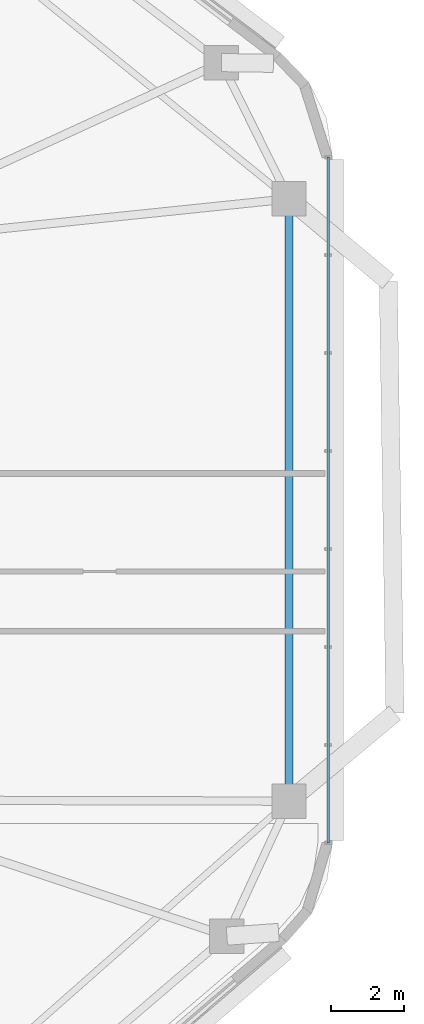
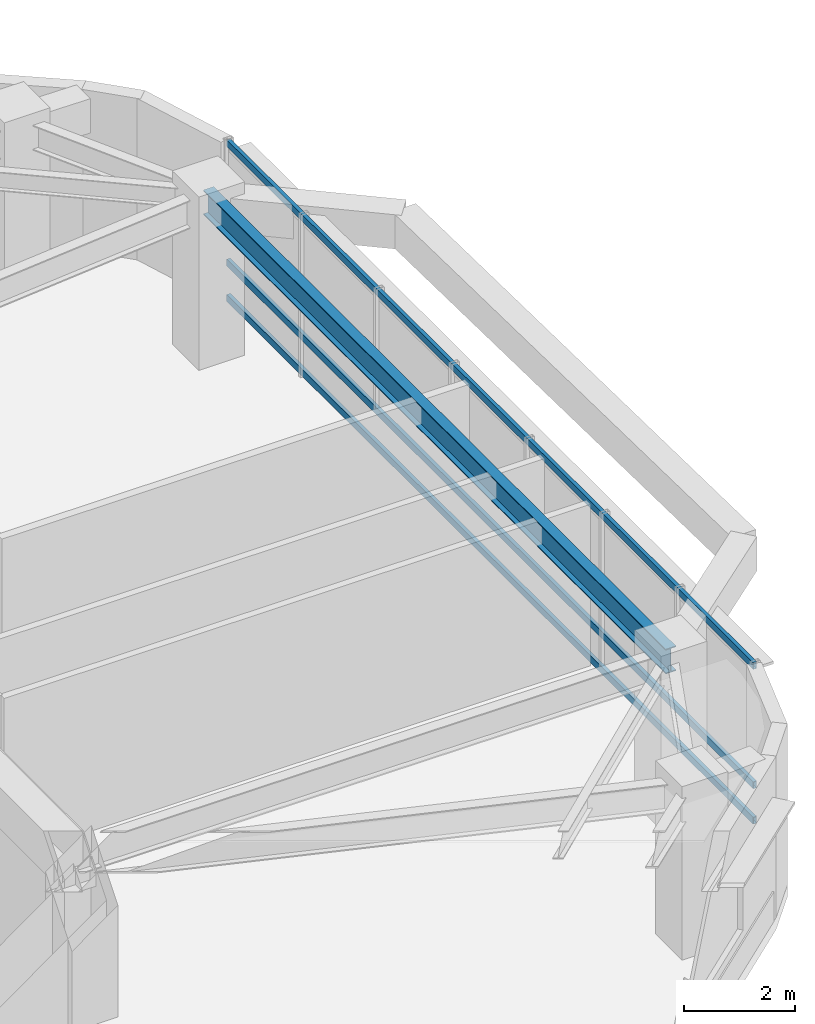
# One storey, part 3 of 14: 3 members, 1 beam, 1 element without a shape of its own.
"""IFC4 building model written with IfcOpenShell, lengths in metres."""

from ifc_helpers import new_model, si_unit, direction, frame, origin, origin_2d, place, context, subcontext, project, spatial, hollow_rectangle, i_section, extrude, material, material_profile, profile_set, type_object, element, aggregate, save


model = new_model("IFC4")

# Units and contexts
model_context = context("Model", 3, precision=1e-05, world=origin(), true_north=direction((0.0, 1.0)))
body_context = subcontext(model_context, "Body", "Model", "MODEL_VIEW")
ifc_project = project(units=[si_unit("LENGTHUNIT", "METRE"), si_unit("AREAUNIT", "SQUARE_METRE"), si_unit("VOLUMEUNIT", "CUBIC_METRE"), si_unit("PLANEANGLEUNIT", "RADIAN"), si_unit("MASSUNIT", "GRAM", prefix="KILO")], contexts=[model_context])

# Site, building, storey
site_placement = place(None, origin())
site = spatial("IfcSite", under=ifc_project, at=site_placement, CompositionType="ELEMENT")
building_placement = place(site_placement, origin())
building = spatial("IfcBuilding", under=site, at=building_placement, Name="Zulverin Broadcast Headquarters", CompositionType="ELEMENT")
storey_placement = place(building_placement, frame((0.0, 0.0, 178.199951171875)))
storey = spatial("IfcBuildingStorey", under=building, at=storey_placement, Name="L45", CompositionType="ELEMENT", Elevation=178.199951171875)

# Beam
ifc_material_1 = material(Name="Structural steel S355JR", Category="steel")
ifc_material_profile_1 = material_profile(ifc_material_1, i_section(OverallWidth=0.2119140625, OverallDepth=0.54443359375, WebThickness=0.0126953125, FlangeThickness=0.021240234375, at=origin_2d()), Name="Structural steel S355JR", Category="steel")
ifc_profile_set_1 = profile_set([ifc_material_profile_1], Name="Structural steel S355JR")
beam_type = type_object("IfcBeamType", Name="BM-UB-533", PredefinedType="SPANDREL", material=ifc_profile_set_1)
beam_placement = place(storey_placement, frame((60.60009765625, 17.519287109375, 3.267822265625), z_axis=(0.0, 1.0, 0.0), x_axis=(-1.0, 0.0, 0.0)))
element("IfcBeam", 1, at=beam_placement, inside=storey, type_object=beam_type, Name="L45 Perimeter Spandrel Beam SP-05", PredefinedType="SPANDREL", context=body_context, shape_type="SweptSolid", body=[
    extrude(i_section(OverallWidth=0.2119140625, OverallDepth=0.54443359375, WebThickness=0.0126953125, FlangeThickness=0.021240234375, at=origin_2d()), origin(), (0.0, 0.0, 1.0), 16.602294921875),
])

# Curtain wall, members
ifc_material_2 = material(Name="Waist wind-pressure unitised curtain wall", Category="aluminium")
curtain_wall_type = type_object("IfcCurtainWallType", Name="CW-TWR-WST", PredefinedType="USERDEFINED", material=ifc_material_2)
curtain_wall_placement = place(storey_placement, origin())
curtain_wall = element("IfcCurtainWall", 2, at=curtain_wall_placement, inside=storey, type_object=curtain_wall_type, Name="L45 Unitised Curtain Wall CW-L45-E3", ObjectType="UNITISED CURTAIN WALL", PredefinedType="USERDEFINED")
ifc_material_3 = material(Name="Anodized pale-metal aluminium alloy 6063-T6", Category="aluminium")
ifc_material_profile_2 = material_profile(ifc_material_3, hollow_rectangle(XDim=0.074951171875, YDim=0.14990234375, WallThickness=0.0048828125, at=origin_2d()), Name="Anodized pale-metal aluminium alloy 6063-T6", Category="aluminium")
ifc_profile_set_2 = profile_set([ifc_material_profile_2], Name="Anodized pale-metal aluminium alloy 6063-T6")
member_type = type_object("IfcMemberType", Name="CW-TRN-150", PredefinedType="USERDEFINED", material=ifc_profile_set_2)
member_1_placement = place(storey_placement, frame((61.679931640625, 16.369384765625, 0.074951171875), z_axis=(0.0, 1.0, 0.0), x_axis=(-1.0, 0.0, 0.0)))
member_1 = element("IfcMember", 3, at=member_1_placement, type_object=member_type, Name="CW-L45-E3 Transom 0", ObjectType="TRANSOM", PredefinedType="USERDEFINED", context=body_context, shape_type="SweptSolid", body=[
    extrude(hollow_rectangle(XDim=0.074951171875, YDim=0.14990234375, WallThickness=0.0048828125, at=origin_2d()), origin(), (0.0, 0.0, 1.0), 18.902099609375),
])
member_2_placement = place(storey_placement, frame((61.679931640625, 16.369384765625, 0.849609375), z_axis=(0.0, 1.0, 0.0), x_axis=(-1.0, 0.0, 0.0)))
member_2 = element("IfcMember", 4, at=member_2_placement, type_object=member_type, Name="CW-L45-E3 Transom 1", ObjectType="TRANSOM", PredefinedType="USERDEFINED", context=body_context, shape_type="SweptSolid", body=[
    extrude(hollow_rectangle(XDim=0.074951171875, YDim=0.14990234375, WallThickness=0.0048828125, at=origin_2d()), origin(), (0.0, 0.0, 1.0), 18.902099609375),
])
member_3_placement = place(storey_placement, frame((61.679931640625, 16.369384765625, 3.465087890625), z_axis=(0.0, 1.0, 0.0), x_axis=(-1.0, 0.0, 0.0)))
member_3 = element("IfcMember", 5, at=member_3_placement, type_object=member_type, Name="CW-L45-E3 Transom 2", ObjectType="TRANSOM", PredefinedType="USERDEFINED", context=body_context, shape_type="SweptSolid", body=[
    extrude(hollow_rectangle(XDim=0.074951171875, YDim=0.14990234375, WallThickness=0.0048828125, at=origin_2d()), origin(), (0.0, 0.0, 1.0), 18.902099609375),
])
aggregate(curtain_wall, [member_1, member_2, member_3])

save(model, "model.ifc")
